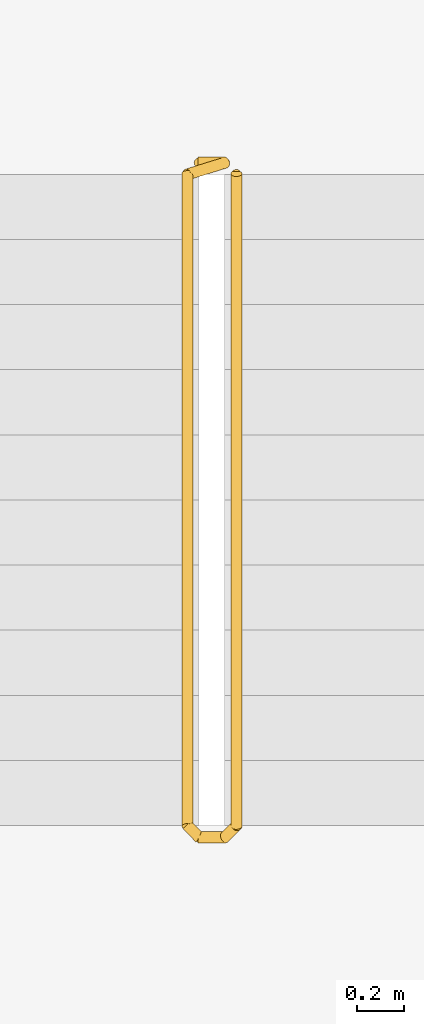
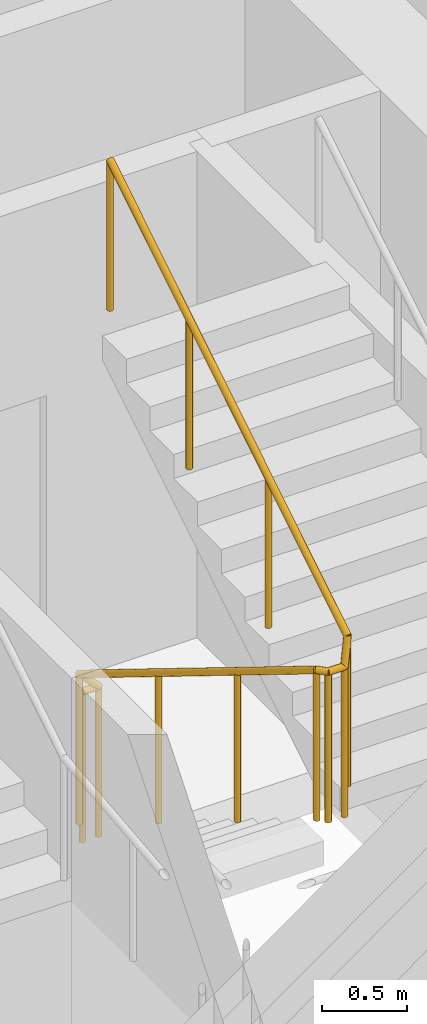
# One storey, part 23 of 23: 1 railing.
"""IFC4 building model written with IfcOpenShell, lengths in metres."""

from ifc_helpers import new_model, si_unit, direction, frame, origin, origin_2d, place, context, subcontext, project, spatial, circle, extrude, material, type_object, element, save


model = new_model("IFC4")

# Units and contexts
model_context = context("Model", 3, precision=1e-05, world=origin(), true_north=direction((0.0, 1.0)))
body_context = subcontext(model_context, "Body", "Model", "MODEL_VIEW")
ifc_project = project(units=[si_unit("LENGTHUNIT", "METRE"), si_unit("AREAUNIT", "SQUARE_METRE"), si_unit("VOLUMEUNIT", "CUBIC_METRE"), si_unit("PLANEANGLEUNIT", "RADIAN"), si_unit("MASSUNIT", "GRAM", prefix="KILO")], contexts=[model_context])

# Site, building, storey
site_placement = place(None, origin())
site = spatial("IfcSite", under=ifc_project, at=site_placement, CompositionType="ELEMENT")
building_placement = place(site_placement, origin())
building = spatial("IfcBuilding", under=site, at=building_placement, Name="Tessera Arch", CompositionType="ELEMENT")
storey_placement = place(building_placement, frame((0.0, 0.0, 34.800048828125)))
storey = spatial("IfcBuildingStorey", under=building, at=storey_placement, Name="L06", CompositionType="ELEMENT", Elevation=34.800048828125)

# Railing
ifc_material = material(Name="Painted steel balustrade", Category="steel")
railing_type = type_object("IfcRailingType", Name="Stair guard 1100", PredefinedType="GUARDRAIL", material=ifc_material)
railing_placement = place(storey_placement, frame((44.919921875, 43.6298828125, 0.0)))
element("IfcRailing", 1, at=railing_placement, inside=storey, type_object=railing_type, Name="L06 S1c stair guard 1", PredefinedType="GUARDRAIL", context=body_context, shape_type="SweptSolid", body=[
    extrude(circle(Radius=0.02392578125, at=origin_2d()), frame((-0.00390625, 0.0, 1.076171875), z_axis=(1.0, 0.0, 0.0), x_axis=(0.0, 1.0, 0.0)), (0.0, 0.0, 1.0), 0.1181640625),
    extrude(circle(Radius=0.02392578125, at=origin_2d()), frame((0.11279296875, 0.000732421875, 1.0732421875), z_axis=(-0.664883824791, -0.207078321004, 0.717668494851), x_axis=(0.297361876254, -0.954764847777, 0.0)), (0.0, 0.0, 1.0), 0.24853515625),
    extrude(circle(Radius=0.02392578125, at=origin_2d()), frame((-0.0498046875, -0.04638671875, 1.24658203125), z_axis=(0.0, -0.851089632645, 0.525020415988), x_axis=(1.0, 0.0, 0.0)), (0.0, 0.0, 1.0), 3.2978515625),
    extrude(circle(Radius=0.02392578125, at=origin_2d()), frame((-0.052734375, -2.846923828125, 2.97607421875), z_axis=(0.705375805398, -0.708833529934, 0.0), x_axis=(0.708833529934, 0.705375805398, 0.0)), (0.0, 0.0, 1.0), 0.07861328125),
    extrude(circle(Radius=0.02392578125, at=origin_2d()), frame((-0.00390625, -2.89990234375, 2.97607421875), z_axis=(1.0, 0.0, 0.0), x_axis=(0.0, 1.0, 0.0)), (0.0, 0.0, 1.0), 0.1181640625),
    extrude(circle(Radius=0.02392578125, at=origin_2d()), frame((0.109130859375, -2.90087890625, 2.97216796875), z_axis=(0.267953482034, 0.267953482034, 0.925419830635), x_axis=(-0.707106781187, 0.707106781187, 0.0)), (0.0, 0.0, 1.0), 0.19482421875),
    extrude(circle(Radius=0.02392578125, at=origin_2d()), frame((0.16015625, -2.853271484375, 3.146728515625), z_axis=(0.0, 0.851089632645, 0.525020415988), x_axis=(-1.0, 0.0, 0.0)), (0.0, 0.0, 1.0), 3.2978515625),
    extrude(circle(Radius=0.02099609375, at=origin_2d()), origin(), (0.0, 0.0, 1.0), 1.06396484375),
    extrude(circle(Radius=0.02099609375, at=origin_2d()), frame((0.110107421875, 0.0, 0.0)), (0.0, 0.0, 1.0), 1.06396484375),
    extrude(circle(Radius=0.02099609375, at=origin_2d()), frame((-0.0498046875, -0.0498046875, 0.172607421875)), (0.0, 0.0, 1.0), 1.06396484375),
    extrude(circle(Radius=0.02099609375, at=origin_2d()), frame((-0.0498046875, -0.983154296875, 0.748291015625)), (0.0, 0.0, 1.0), 1.06396484375),
    extrude(circle(Radius=0.02099609375, at=origin_2d()), frame((-0.0498046875, -1.91650390625, 1.32421875)), (0.0, 0.0, 1.0), 1.06396484375),
    extrude(circle(Radius=0.02099609375, at=origin_2d()), frame((-0.0498046875, -2.849853515625, 1.89990234375)), (0.0, 0.0, 1.0), 1.06396484375),
    extrude(circle(Radius=0.02099609375, at=origin_2d()), frame((0.0, -2.89990234375, 1.89990234375)), (0.0, 0.0, 1.0), 1.06396484375),
    extrude(circle(Radius=0.02099609375, at=origin_2d()), frame((0.110107421875, -2.89990234375, 1.89990234375)), (0.0, 0.0, 1.0), 1.06396484375),
    extrude(circle(Radius=0.02099609375, at=origin_2d()), frame((0.16015625, -2.849853515625, 2.07275390625)), (0.0, 0.0, 1.0), 1.06396484375),
    extrude(circle(Radius=0.02099609375, at=origin_2d()), frame((0.16015625, -1.91650390625, 2.6484375)), (0.0, 0.0, 1.0), 1.06396484375),
    extrude(circle(Radius=0.02099609375, at=origin_2d()), frame((0.16015625, -0.983154296875, 3.224365234375)), (0.0, 0.0, 1.0), 1.06396484375),
    extrude(circle(Radius=0.02099609375, at=origin_2d()), frame((0.16015625, -0.0498046875, 3.800048828125)), (0.0, 0.0, 1.0), 1.06396484375),
])

save(model, "model.ifc")
